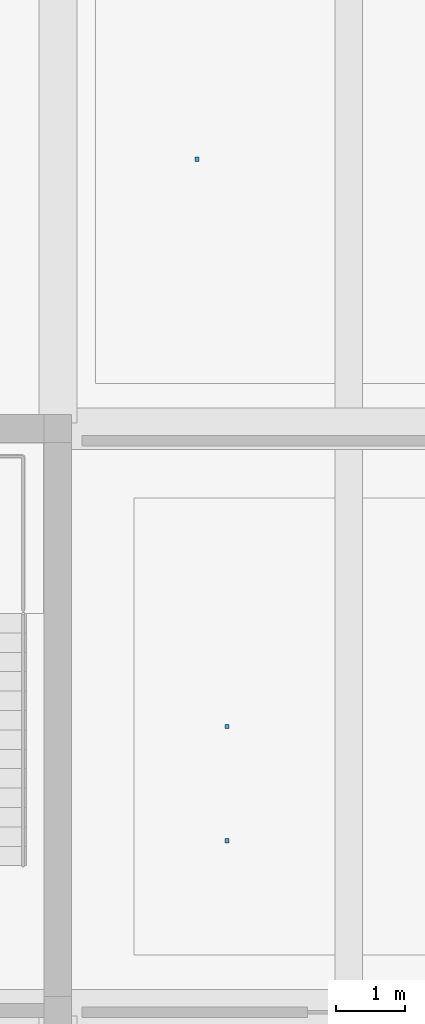
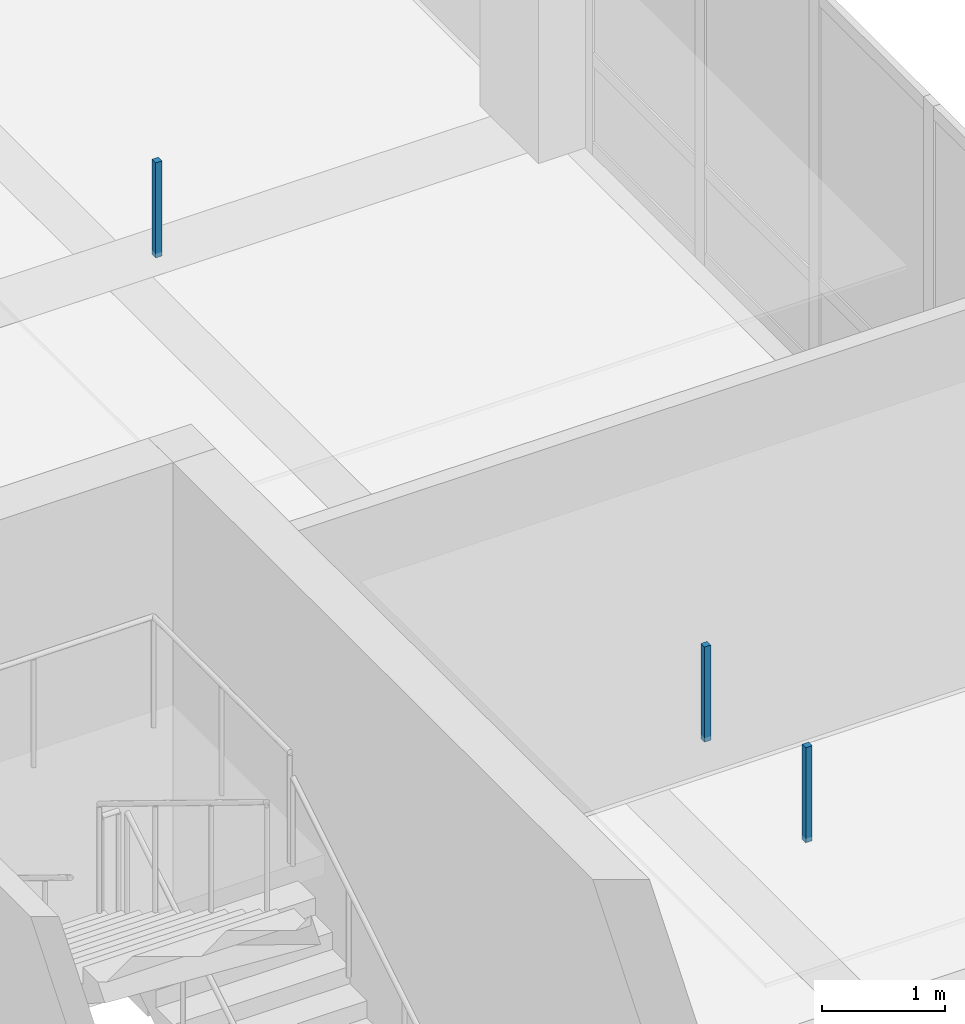
# One storey, part 77 of 122: 3 discrete accessories.
"""IFC4 building model written with IfcOpenShell, lengths in metres."""

from ifc_helpers import new_model, si_unit, direction, frame, origin, origin_2d, place, context, subcontext, project, spatial, rectangle, extrude, material, type_object, element, save


model = new_model("IFC4")

# Units and contexts
model_context = context("Model", 3, precision=1e-05, world=origin(), true_north=direction((0.0, 1.0)))
body_context = subcontext(model_context, "Body", "Model", "MODEL_VIEW")
ifc_project = project(units=[si_unit("LENGTHUNIT", "METRE"), si_unit("AREAUNIT", "SQUARE_METRE"), si_unit("VOLUMEUNIT", "CUBIC_METRE"), si_unit("PLANEANGLEUNIT", "RADIAN"), si_unit("MASSUNIT", "GRAM", prefix="KILO")], contexts=[model_context])

# Site, building, storey
site_placement = place(None, origin())
site = spatial("IfcSite", under=ifc_project, at=site_placement, CompositionType="ELEMENT")
building_placement = place(site_placement, origin())
building = spatial("IfcBuilding", under=site, at=building_placement, Name="Telukmera Botanical Conservatory", CompositionType="ELEMENT")
storey_placement = place(building_placement, frame((0.0, 0.0, 10.199951171875)))
storey = spatial("IfcBuildingStorey", under=building, at=storey_placement, Name="L02", CompositionType="ELEMENT", Elevation=10.199951171875)

# Discrete accessories
ifc_material = material(Name="Steel S355", Category="steel")
discrete_accessory_type = type_object("IfcDiscreteAccessoryType", Name="ACC-CEIL-HGR", PredefinedType="BRACKET", material=ifc_material)
for number, where, z_axis, x_axis, name in (
    (1, (103.241943359375, 28.449951171875, 3.60986328125), (0.0, 0.0, 1.0), (1.0, 0.0, 0.0), "L02 Suspended Ceiling Hanger Rod 036-1"),
    (2, (103.241943359375, 30.10009765625, 3.60986328125), (0.0, 0.0, 1.0), (1.0, 0.0, 0.0), "L02 Suspended Ceiling Hanger Rod 036-2"),
    (3, (102.80908203125, 38.28759765625, 3.60986328125), (0.0, 0.0, 1.0), (1.0, 0.0, 0.0), "L02 Suspended Ceiling Hanger Rod 048-1"),
):
    element("IfcDiscreteAccessory", number, at=place(storey_placement, frame(where, z_axis=z_axis, x_axis=x_axis)), inside=storey, type_object=discrete_accessory_type, Name=name, PredefinedType="BRACKET", context=body_context, shape_type="SweptSolid", body=[
        extrude(rectangle(XDim=0.06005859375, YDim=0.06005859375, at=origin_2d()), origin(), (0.0, 0.0, 1.0), 0.945068359375),
    ])

save(model, "model.ifc")
